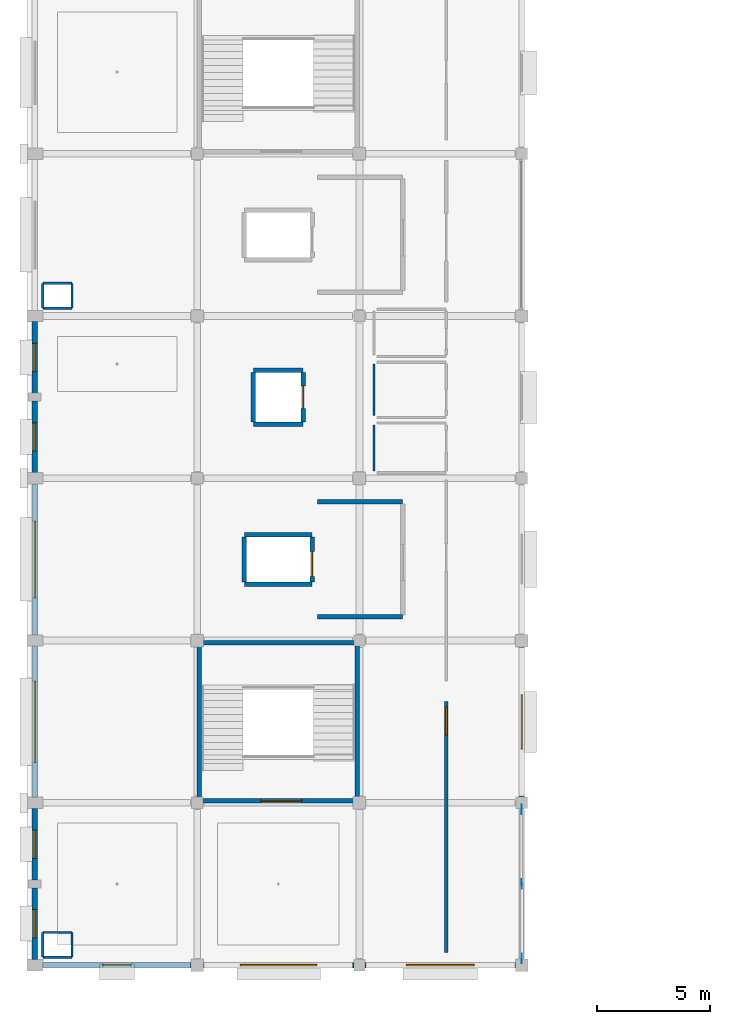
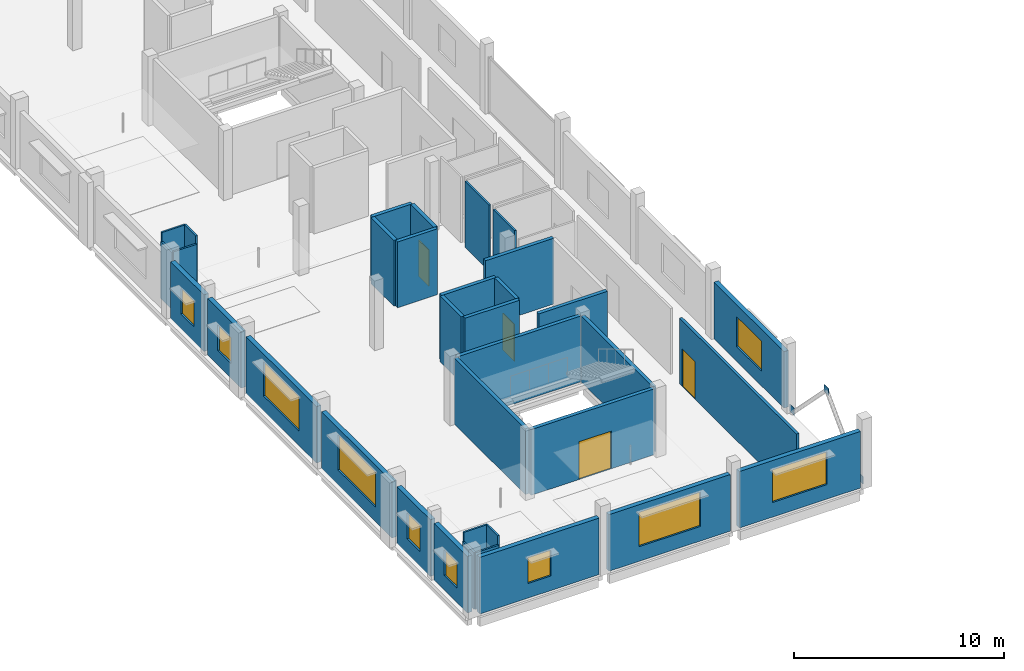
# One storey, part 7 of 15: 35 walls, 10 windows, 4 doors, 3 plates, 14 openings.
"""IFC4 building model written with IfcOpenShell, lengths in metres."""

from ifc_helpers import new_model, si_unit, direction, frame, frame_2d, origin, origin_2d, place, context, subcontext, project, spatial, rectangle, extrude, material, layer, layer_set, type_object, element, fill, save


model = new_model("IFC4")

# Units and contexts
model_context = context("Model", 3, precision=1e-05, world=origin(), true_north=direction((0.0, 1.0)))
body_context = subcontext(model_context, "Body", "Model", "MODEL_VIEW")
ifc_project = project(units=[si_unit("LENGTHUNIT", "METRE"), si_unit("AREAUNIT", "SQUARE_METRE"), si_unit("VOLUMEUNIT", "CUBIC_METRE"), si_unit("PLANEANGLEUNIT", "RADIAN"), si_unit("MASSUNIT", "GRAM", prefix="KILO")], contexts=[model_context])

# Site, building, storey
site_placement = place(None, origin())
site = spatial("IfcSite", under=ifc_project, at=site_placement, CompositionType="ELEMENT")
building_placement = place(site_placement, origin())
building = spatial("IfcBuilding", under=site, at=building_placement, Name="Kangsadwip Square Police Headquarters", CompositionType="ELEMENT")
storey_placement = place(building_placement, frame((0.0, 0.0, 29.699951171875)))
storey = spatial("IfcBuildingStorey", under=building, at=storey_placement, Name="L07", CompositionType="ELEMENT", Elevation=29.699951171875)

# Plates
ifc_material_1 = material(Name="Structural steel IS 2062 E350 (Grade 350, 350 MPa)", Category="steel")
ifc_layer_1 = layer(ifc_material_1, 0.01611328125)
ifc_layer_set_1 = layer_set([ifc_layer_1], Name="Structural steel IS 2062 E350 (Grade 350, 350 MPa)")
plate_type = type_object("IfcPlateType", Name="TrussGussetPlate16", PredefinedType="USERDEFINED", material=ifc_layer_set_1)
for number, where, z_axis, x_axis, name in (
    (1, (21.60009765625, 39.60009765625, 3.14013671875), (0.0, 0.0, 1.0), (0.0, 1.0, 0.0), "Truss Node Gusset Plate GP-L07-0148"),
    (2, (21.60009765625, 36.300048828125, 0.0), (0.0, 0.0, 1.0), (0.0, 1.0, 0.0), "Truss Node Gusset Plate GP-L07-0149"),
    (3, (21.60009765625, 42.89990234375, 0.0), (0.0, 0.0, 1.0), (0.0, 1.0, 0.0), "Truss Node Gusset Plate GP-L07-0150"),
):
    element("IfcPlate", number, at=place(storey_placement, frame(where, z_axis=z_axis, x_axis=x_axis)), inside=storey, type_object=plate_type, Name=name, ObjectType="GUSSET_PLATE", PredefinedType="USERDEFINED", context=body_context, shape_type="SweptSolid", body=[
        extrude(rectangle(XDim=0.419921875, YDim=0.01611328125, at=origin_2d()), origin(), (0.0, 0.0, 1.0), 0.419921875),
    ])

# Wall, opening, door
ifc_material_2 = material(Name="Autoclaved aerated concrete blockwork masonry", Category="masonry")
ifc_layer_2 = layer(ifc_material_2, 0.14990234375)
ifc_layer_set_2 = layer_set([ifc_layer_2], Name="Autoclaved aerated concrete blockwork masonry")
wall_type_1 = type_object("IfcWallType", Name="BlockPartition150", PredefinedType="PARTITIONING", material=ifc_layer_set_2)
wall_1_placement = place(storey_placement, frame((18.25, 36.550048828125, 0.0), z_axis=(0.0, 0.0, 1.0), x_axis=(0.0, 1.0, 0.0)))
wall_1 = element("IfcWall", 4, at=wall_1_placement, inside=storey, type_object=wall_type_1, Name="Interior Wall WI-L07-0950", PredefinedType="PARTITIONING", context=body_context, shape_type="SweptSolid", body=[
    extrude(rectangle(XDim=11.14990234375, YDim=0.14990234375, at=frame_2d((5.574951171875, 0.0))), origin(), (0.0, 0.0, 1.0), 3.830078125),
])
opening_1_placement = place(wall_1_placement, frame((9.64990234375, 0.0, 0.0)))
opening_1 = element("IfcOpeningElement", 5, at=opening_1_placement, cuts=wall_1, Name="Opening ID-12A", PredefinedType="OPENING", context=body_context, shape_type="SweptSolid", body=[
    extrude(rectangle(XDim=1.25, YDim=2.199951171875, at=frame_2d((0.625, 1.10009765625))), frame((0.0, 0.0849609375, 0.0), z_axis=(0.0, -1.0, 0.0), x_axis=(1.0, 0.0, 0.0)), (0.0, 0.0, 1.0), 0.169921875),
])
ifc_material_3 = material(Name="Solid-core seasoned teak hardwood architectural door", Category="wood")
door_type_1 = type_object("IfcDoorType", Name="ClassroomDoor1250x2200", OperationType="NOTDEFINED", PredefinedType="DOOR", material=ifc_material_3)
door_1_placement = place(opening_1_placement, origin())
door_1 = element("IfcDoor", 6, at=door_1_placement, inside=storey, type_object=door_type_1, Name="Interior Door ID-L07-0269", OperationType="SINGLE_SWING_LEFT", OverallHeight=2.199951171875, OverallWidth=1.25, PredefinedType="DOOR", context=body_context, shape_type="SweptSolid", body=[
    extrude(rectangle(XDim=1.25, YDim=2.199951171875, at=frame_2d((0.625, 1.10009765625))), frame((0.0, 0.02490234375, 0.0), z_axis=(0.0, -1.0, 0.0), x_axis=(1.0, 0.0, 0.0)), (0.0, 0.0, 1.0), 0.050048828125),
])
fill(opening_1, door_1)

# Wall, opening, window
ifc_material_4 = material(Name="Glazed architectural terracotta masonry rainscreen", Category="masonry")
ifc_layer_3 = layer(ifc_material_4, 0.25)
ifc_layer_set_3 = layer_set([ifc_layer_3], Name="Glazed architectural terracotta masonry rainscreen")
wall_type_2 = type_object("IfcWallType", Name="ChicagoTerracottaWall250", PredefinedType="SOLIDWALL", material=ifc_layer_set_3)
wall_2_placement = place(storey_placement, frame((0.344970703125, 36.0, 0.0), z_axis=(0.0, 0.0, 1.0), x_axis=(1.0, 0.0, 0.0)))
wall_2 = element("IfcWall", 7, at=wall_2_placement, inside=storey, type_object=wall_type_2, Name="Exterior Wall WE-L07-581", PredefinedType="SOLIDWALL", context=body_context, shape_type="SweptSolid", body=[
    extrude(rectangle(XDim=6.5849609375, YDim=0.25, at=frame_2d((3.29248046875, 0.0))), origin(), (0.0, 0.0, 1.0), 3.295166015625),
])
opening_2_placement = place(wall_2_placement, frame((2.66748046875, 0.0, 0.85009765625)))
opening_2 = element("IfcOpeningElement", 8, at=opening_2_placement, cuts=wall_2, Name="Opening WN-14", PredefinedType="OPENING", context=body_context, shape_type="SweptSolid", body=[
    extrude(rectangle(XDim=1.25, YDim=1.5, at=frame_2d((0.625, 0.75))), frame((0.0, 0.135009765625, 0.0), z_axis=(0.0, -1.0, 0.0), x_axis=(1.0, 0.0, 0.0)), (0.0, 0.0, 1.0), 0.27001953125),
])
ifc_material_5 = material(Name="Double-glazed solar-control low-E safety glass", Category="glass")
window_type_1 = type_object("IfcWindowType", Name="OfficeCasementWin1250x1500", PartitioningType="SINGLE_PANEL", PredefinedType="WINDOW", material=ifc_material_5)
window_1_placement = place(opening_2_placement, origin())
window_1 = element("IfcWindow", 9, at=window_1_placement, inside=storey, type_object=window_type_1, Name="Window WN-L07-0430", OverallHeight=1.5, OverallWidth=1.25, PartitioningType="SINGLE_PANEL", PredefinedType="WINDOW", context=body_context, shape_type="SweptSolid", body=[
    extrude(rectangle(XDim=1.25, YDim=1.5, at=frame_2d((0.625, 0.75))), frame((0.0, 0.030029296875, 0.0), z_axis=(0.0, -1.0, 0.0), x_axis=(1.0, 0.0, 0.0)), (0.0, 0.0, 1.0), 0.06005859375),
])
fill(opening_2, window_1)

wall_3_placement = place(storey_placement, frame((7.469970703125, 36.0, 0.0), z_axis=(0.0, 0.0, 1.0), x_axis=(1.0, 0.0, 0.0)))
wall_3 = element("IfcWall", 10, at=wall_3_placement, inside=storey, type_object=wall_type_2, Name="Exterior Wall WE-L07-582", PredefinedType="SOLIDWALL", context=body_context, shape_type="SweptSolid", body=[
    extrude(rectangle(XDim=6.68505859375, YDim=0.25, at=frame_2d((3.342529296875, 0.0))), origin(), (0.0, 0.0, 1.0), 3.295166015625),
])
opening_3_placement = place(wall_3_placement, frame((1.642578125, 0.0, 0.85009765625)))
opening_3 = element("IfcOpeningElement", 11, at=opening_3_placement, cuts=wall_3, Name="Opening WN-02", PredefinedType="OPENING", context=body_context, shape_type="SweptSolid", body=[
    extrude(rectangle(XDim=3.39990234375, YDim=2.0, at=frame_2d((1.699951171875, 1.0))), frame((0.0, 0.135009765625, 0.0), z_axis=(0.0, -1.0, 0.0), x_axis=(1.0, 0.0, 0.0)), (0.0, 0.0, 1.0), 0.27001953125),
])
ifc_material_6 = material(Name="Double-glazed solar-control low-E safety glass", Category="glass")
window_type_2 = type_object("IfcWindowType", Name="ChicagoTripartiteWin3400x2000", PartitioningType="TRIPLE_PANEL_HORIZONTAL", PredefinedType="WINDOW", material=ifc_material_6)
window_2_placement = place(opening_3_placement, origin())
window_2 = element("IfcWindow", 12, at=window_2_placement, inside=storey, type_object=window_type_2, Name="Window WN-L07-0431", OverallHeight=2.0, OverallWidth=3.39990234375, PartitioningType="SINGLE_PANEL", PredefinedType="WINDOW", context=body_context, shape_type="SweptSolid", body=[
    extrude(rectangle(XDim=3.39990234375, YDim=2.0, at=frame_2d((1.699951171875, 1.0))), frame((0.0, 0.030029296875, 0.0), z_axis=(0.0, -1.0, 0.0), x_axis=(1.0, 0.0, 0.0)), (0.0, 0.0, 1.0), 0.06005859375),
])
fill(opening_3, window_2)

wall_4_placement = place(storey_placement, frame((14.64501953125, 36.0, 0.0), z_axis=(0.0, 0.0, 1.0), x_axis=(1.0, 0.0, 0.0)))
wall_4 = element("IfcWall", 13, at=wall_4_placement, inside=storey, type_object=wall_type_2, Name="Exterior Wall WE-L07-583", PredefinedType="SOLIDWALL", context=body_context, shape_type="SweptSolid", body=[
    extrude(rectangle(XDim=6.68505859375, YDim=0.25, at=frame_2d((3.342529296875, 0.0))), origin(), (0.0, 0.0, 1.0), 3.295166015625),
])
opening_4_placement = place(wall_4_placement, frame((1.842529296875, 0.0, 0.85009765625)))
opening_4 = element("IfcOpeningElement", 14, at=opening_4_placement, cuts=wall_4, Name="Opening WN-04", PredefinedType="OPENING", context=body_context, shape_type="SweptSolid", body=[
    extrude(rectangle(XDim=3.0, YDim=1.89990234375, at=frame_2d((1.5, 0.949951171875))), frame((0.0, 0.135009765625, 0.0), z_axis=(0.0, -1.0, 0.0), x_axis=(1.0, 0.0, 0.0)), (0.0, 0.0, 1.0), 0.27001953125),
])
ifc_material_7 = material(Name="Double-glazed solar-control low-E safety glass", Category="glass")
window_type_3 = type_object("IfcWindowType", Name="ChicagoTripartiteWin3000x1900", PartitioningType="TRIPLE_PANEL_HORIZONTAL", PredefinedType="WINDOW", material=ifc_material_7)
window_3_placement = place(opening_4_placement, origin())
window_3 = element("IfcWindow", 15, at=window_3_placement, inside=storey, type_object=window_type_3, Name="Window WN-L07-0432", OverallHeight=1.89990234375, OverallWidth=3.0, PartitioningType="SINGLE_PANEL", PredefinedType="WINDOW", context=body_context, shape_type="SweptSolid", body=[
    extrude(rectangle(XDim=3.0, YDim=1.89990234375, at=frame_2d((1.5, 0.949951171875))), frame((0.0, 0.030029296875, 0.0), z_axis=(0.0, -1.0, 0.0), x_axis=(1.0, 0.0, 0.0)), (0.0, 0.0, 1.0), 0.06005859375),
])
fill(opening_4, window_3)

wall_5_placement = place(storey_placement, frame((0.0, 36.2451171875, 0.0), z_axis=(0.0, 0.0, 1.0), x_axis=(0.0, 1.0, 0.0)))
wall_5 = element("IfcWall", 16, at=wall_5_placement, inside=storey, type_object=wall_type_2, Name="Exterior Wall WE-L07-587", PredefinedType="SOLIDWALL", context=body_context, shape_type="SweptSolid", body=[
    extrude(rectangle(XDim=3.184814453125, YDim=0.25, at=frame_2d((1.59228515625, 0.0))), origin(), (0.0, 0.0, 1.0), 3.295166015625),
])
opening_5_placement = place(wall_5_placement, frame((0.967529296875, 0.0, 0.85009765625)))
opening_5 = element("IfcOpeningElement", 17, at=opening_5_placement, cuts=wall_5, Name="Opening WN-14", PredefinedType="OPENING", context=body_context, shape_type="SweptSolid", body=[
    extrude(rectangle(XDim=1.25, YDim=1.5, at=frame_2d((0.625, 0.75))), frame((0.0, 0.135009765625, 0.0), z_axis=(0.0, -1.0, 0.0), x_axis=(1.0, 0.0, 0.0)), (0.0, 0.0, 1.0), 0.27001953125),
])
window_4_placement = place(opening_5_placement, origin())
window_4 = element("IfcWindow", 18, at=window_4_placement, inside=storey, type_object=window_type_1, Name="Window WN-L07-0436", OverallHeight=1.5, OverallWidth=1.25, PartitioningType="SINGLE_PANEL", PredefinedType="WINDOW", context=body_context, shape_type="SweptSolid", body=[
    extrude(rectangle(XDim=1.25, YDim=1.5, at=frame_2d((0.625, 0.75))), frame((0.0, 0.030029296875, 0.0), z_axis=(0.0, -1.0, 0.0), x_axis=(1.0, 0.0, 0.0)), (0.0, 0.0, 1.0), 0.06005859375),
])
fill(opening_5, window_4)

wall_6_placement = place(storey_placement, frame((0.0, 39.77001953125, 0.0), z_axis=(0.0, 0.0, 1.0), x_axis=(0.0, 1.0, 0.0)))
wall_6 = element("IfcWall", 19, at=wall_6_placement, inside=storey, type_object=wall_type_2, Name="Exterior Wall WE-L07-588", PredefinedType="SOLIDWALL", context=body_context, shape_type="SweptSolid", body=[
    extrude(rectangle(XDim=3.18505859375, YDim=0.25, at=frame_2d((1.592529296875, 0.0))), origin(), (0.0, 0.0, 1.0), 3.295166015625),
])
opening_6_placement = place(wall_6_placement, frame((0.967529296875, 0.0, 0.85009765625)))
opening_6 = element("IfcOpeningElement", 20, at=opening_6_placement, cuts=wall_6, Name="Opening WN-14", PredefinedType="OPENING", context=body_context, shape_type="SweptSolid", body=[
    extrude(rectangle(XDim=1.25, YDim=1.5, at=frame_2d((0.625, 0.75))), frame((0.0, 0.135009765625, 0.0), z_axis=(0.0, -1.0, 0.0), x_axis=(1.0, 0.0, 0.0)), (0.0, 0.0, 1.0), 0.27001953125),
])
window_5_placement = place(opening_6_placement, origin())
window_5 = element("IfcWindow", 21, at=window_5_placement, inside=storey, type_object=window_type_1, Name="Window WN-L07-0437", OverallHeight=1.5, OverallWidth=1.25, PartitioningType="SINGLE_PANEL", PredefinedType="WINDOW", context=body_context, shape_type="SweptSolid", body=[
    extrude(rectangle(XDim=1.25, YDim=1.5, at=frame_2d((0.625, 0.75))), frame((0.0, 0.030029296875, 0.0), z_axis=(0.0, -1.0, 0.0), x_axis=(1.0, 0.0, 0.0)), (0.0, 0.0, 1.0), 0.06005859375),
])
fill(opening_6, window_5)

wall_7_placement = place(storey_placement, frame((0.0, 43.445068359375, 0.0), z_axis=(0.0, 0.0, 1.0), x_axis=(0.0, 1.0, 0.0)))
wall_7 = element("IfcWall", 22, at=wall_7_placement, inside=storey, type_object=wall_type_2, Name="Exterior Wall WE-L07-589", PredefinedType="SOLIDWALL", context=body_context, shape_type="SweptSolid", body=[
    extrude(rectangle(XDim=6.7099609375, YDim=0.25, at=frame_2d((3.35498046875, 0.0))), origin(), (0.0, 0.0, 1.0), 3.295166015625),
])
opening_7_placement = place(wall_7_placement, frame((1.554931640625, 0.0, 0.85009765625)))
opening_7 = element("IfcOpeningElement", 23, at=opening_7_placement, cuts=wall_7, Name="Opening WN-01", PredefinedType="OPENING", context=body_context, shape_type="SweptSolid", body=[
    extrude(rectangle(XDim=3.60009765625, YDim=2.050048828125, at=frame_2d((1.800048828125, 1.02490234375))), frame((0.0, 0.135009765625, 0.0), z_axis=(0.0, -1.0, 0.0), x_axis=(1.0, 0.0, 0.0)), (0.0, 0.0, 1.0), 0.27001953125),
])
ifc_material_8 = material(Name="Double-glazed solar-control low-E safety glass", Category="glass")
window_type_4 = type_object("IfcWindowType", Name="ChicagoTripartiteWin3600x2050", PartitioningType="TRIPLE_PANEL_HORIZONTAL", PredefinedType="WINDOW", material=ifc_material_8)
window_6_placement = place(opening_7_placement, origin())
window_6 = element("IfcWindow", 24, at=window_6_placement, inside=storey, type_object=window_type_4, Name="Window WN-L07-0438", OverallHeight=2.050048828125, OverallWidth=3.60009765625, PartitioningType="SINGLE_PANEL", PredefinedType="WINDOW", context=body_context, shape_type="SweptSolid", body=[
    extrude(rectangle(XDim=3.60009765625, YDim=2.050048828125, at=frame_2d((1.800048828125, 1.02490234375))), frame((0.0, 0.030029296875, 0.0), z_axis=(0.0, -1.0, 0.0), x_axis=(1.0, 0.0, 0.0)), (0.0, 0.0, 1.0), 0.06005859375),
])
fill(opening_7, window_6)

wall_8_placement = place(storey_placement, frame((0.0, 50.64501953125, 0.0), z_axis=(0.0, 0.0, 1.0), x_axis=(0.0, 1.0, 0.0)))
wall_8 = element("IfcWall", 25, at=wall_8_placement, inside=storey, type_object=wall_type_2, Name="Exterior Wall WE-L07-590", PredefinedType="SOLIDWALL", context=body_context, shape_type="SweptSolid", body=[
    extrude(rectangle(XDim=6.7099609375, YDim=0.25, at=frame_2d((3.35498046875, 0.0))), origin(), (0.0, 0.0, 1.0), 3.295166015625),
])
opening_8_placement = place(wall_8_placement, frame((1.655029296875, 0.0, 0.85009765625)))
opening_8 = element("IfcOpeningElement", 26, at=opening_8_placement, cuts=wall_8, Name="Opening WN-02", PredefinedType="OPENING", context=body_context, shape_type="SweptSolid", body=[
    extrude(rectangle(XDim=3.39990234375, YDim=2.0, at=frame_2d((1.699951171875, 1.0))), frame((0.0, 0.135009765625, 0.0), z_axis=(0.0, -1.0, 0.0), x_axis=(1.0, 0.0, 0.0)), (0.0, 0.0, 1.0), 0.27001953125),
])
window_7_placement = place(opening_8_placement, origin())
window_7 = element("IfcWindow", 27, at=window_7_placement, inside=storey, type_object=window_type_2, Name="Window WN-L07-0439", OverallHeight=2.0, OverallWidth=3.39990234375, PartitioningType="SINGLE_PANEL", PredefinedType="WINDOW", context=body_context, shape_type="SweptSolid", body=[
    extrude(rectangle(XDim=3.39990234375, YDim=2.0, at=frame_2d((1.699951171875, 1.0))), frame((0.0, 0.030029296875, 0.0), z_axis=(0.0, -1.0, 0.0), x_axis=(1.0, 0.0, 0.0)), (0.0, 0.0, 1.0), 0.06005859375),
])
fill(opening_8, window_7)

wall_9_placement = place(storey_placement, frame((0.0, 57.844970703125, 0.0), z_axis=(0.0, 0.0, 1.0), x_axis=(0.0, 1.0, 0.0)))
wall_9 = element("IfcWall", 28, at=wall_9_placement, inside=storey, type_object=wall_type_2, Name="Exterior Wall WE-L07-591", PredefinedType="SOLIDWALL", context=body_context, shape_type="SweptSolid", body=[
    extrude(rectangle(XDim=3.18505859375, YDim=0.25, at=frame_2d((1.592529296875, 0.0))), origin(), (0.0, 0.0, 1.0), 3.295166015625),
])
opening_9_placement = place(wall_9_placement, frame((0.967529296875, 0.0, 0.85009765625)))
opening_9 = element("IfcOpeningElement", 29, at=opening_9_placement, cuts=wall_9, Name="Opening WN-14", PredefinedType="OPENING", context=body_context, shape_type="SweptSolid", body=[
    extrude(rectangle(XDim=1.25, YDim=1.5, at=frame_2d((0.625, 0.75))), frame((0.0, 0.135009765625, 0.0), z_axis=(0.0, -1.0, 0.0), x_axis=(1.0, 0.0, 0.0)), (0.0, 0.0, 1.0), 0.27001953125),
])
window_8_placement = place(opening_9_placement, origin())
window_8 = element("IfcWindow", 30, at=window_8_placement, inside=storey, type_object=window_type_1, Name="Window WN-L07-0440", OverallHeight=1.5, OverallWidth=1.25, PartitioningType="SINGLE_PANEL", PredefinedType="WINDOW", context=body_context, shape_type="SweptSolid", body=[
    extrude(rectangle(XDim=1.25, YDim=1.5, at=frame_2d((0.625, 0.75))), frame((0.0, 0.030029296875, 0.0), z_axis=(0.0, -1.0, 0.0), x_axis=(1.0, 0.0, 0.0)), (0.0, 0.0, 1.0), 0.06005859375),
])
fill(opening_9, window_8)

wall_10_placement = place(storey_placement, frame((0.0, 61.3701171875, 0.0), z_axis=(0.0, 0.0, 1.0), x_axis=(0.0, 1.0, 0.0)))
wall_10 = element("IfcWall", 31, at=wall_10_placement, inside=storey, type_object=wall_type_2, Name="Exterior Wall WE-L07-592", PredefinedType="SOLIDWALL", context=body_context, shape_type="SweptSolid", body=[
    extrude(rectangle(XDim=3.184814453125, YDim=0.25, at=frame_2d((1.59228515625, 0.0))), origin(), (0.0, 0.0, 1.0), 3.295166015625),
])
opening_10_placement = place(wall_10_placement, frame((0.967529296875, 0.0, 0.85009765625)))
opening_10 = element("IfcOpeningElement", 32, at=opening_10_placement, cuts=wall_10, Name="Opening WN-14", PredefinedType="OPENING", context=body_context, shape_type="SweptSolid", body=[
    extrude(rectangle(XDim=1.25, YDim=1.5, at=frame_2d((0.625, 0.75))), frame((0.0, 0.135009765625, 0.0), z_axis=(0.0, -1.0, 0.0), x_axis=(1.0, 0.0, 0.0)), (0.0, 0.0, 1.0), 0.27001953125),
])
window_9_placement = place(opening_10_placement, origin())
window_9 = element("IfcWindow", 33, at=window_9_placement, inside=storey, type_object=window_type_1, Name="Window WN-L07-0441", OverallHeight=1.5, OverallWidth=1.25, PartitioningType="SINGLE_PANEL", PredefinedType="WINDOW", context=body_context, shape_type="SweptSolid", body=[
    extrude(rectangle(XDim=1.25, YDim=1.5, at=frame_2d((0.625, 0.75))), frame((0.0, 0.030029296875, 0.0), z_axis=(0.0, -1.0, 0.0), x_axis=(1.0, 0.0, 0.0)), (0.0, 0.0, 1.0), 0.06005859375),
])
fill(opening_10, window_9)

wall_11_placement = place(storey_placement, frame((21.60009765625, 43.445068359375, 0.0), z_axis=(0.0, 0.0, 1.0), x_axis=(0.0, 1.0, 0.0)))
wall_11 = element("IfcWall", 34, at=wall_11_placement, inside=storey, type_object=wall_type_2, Name="Exterior Wall WE-L07-598", PredefinedType="SOLIDWALL", context=body_context, shape_type="SweptSolid", body=[
    extrude(rectangle(XDim=6.684814453125, YDim=0.25, at=frame_2d((3.34228515625, 0.0))), origin(), (0.0, 0.0, 1.0), 3.295166015625),
])
opening_11_placement = place(wall_11_placement, frame((2.142578125, 0.0, 0.85009765625)))
opening_11 = element("IfcOpeningElement", 35, at=opening_11_placement, cuts=wall_11, Name="Opening WN-07", PredefinedType="OPENING", context=body_context, shape_type="SweptSolid", body=[
    extrude(rectangle(XDim=2.39990234375, YDim=1.75, at=frame_2d((1.199951171875, 0.875))), frame((0.0, 0.135009765625, 0.0), z_axis=(0.0, -1.0, 0.0), x_axis=(1.0, 0.0, 0.0)), (0.0, 0.0, 1.0), 0.27001953125),
])
ifc_material_9 = material(Name="Double-glazed solar-control low-E safety glass", Category="glass")
window_type_5 = type_object("IfcWindowType", Name="ChicagoDoubleMullWin2400x1750", PartitioningType="DOUBLE_PANEL_VERTICAL", PredefinedType="WINDOW", material=ifc_material_9)
window_10_placement = place(opening_11_placement, origin())
window_10 = element("IfcWindow", 36, at=window_10_placement, inside=storey, type_object=window_type_5, Name="Window WN-L07-0447", OverallHeight=1.75, OverallWidth=2.39990234375, PartitioningType="SINGLE_PANEL", PredefinedType="WINDOW", context=body_context, shape_type="SweptSolid", body=[
    extrude(rectangle(XDim=2.39990234375, YDim=1.75, at=frame_2d((1.199951171875, 0.875))), frame((0.0, 0.030029296875, 0.0), z_axis=(0.0, -1.0, 0.0), x_axis=(1.0, 0.0, 0.0)), (0.0, 0.0, 1.0), 0.06005859375),
])
fill(opening_11, window_10)

# Wall, opening, door
ifc_material_10 = material(Name="Concrete M40 (40 MPa)", Category="concrete")
ifc_layer_4 = layer(ifc_material_10, 0.199951171875)
ifc_layer_set_4 = layer_set([ifc_layer_4], Name="Concrete M40 (40 MPa)")
wall_type_3 = type_object("IfcWallType", Name="CoreShearWall200", PredefinedType="SHEAR", material=ifc_layer_set_4)
wall_12_placement = place(storey_placement, frame((7.39990234375, 43.300048828125, 0.0), z_axis=(0.0, 0.0, 1.0), x_axis=(1.0, 0.0, 0.0)))
wall_12 = element("IfcWall", 37, at=wall_12_placement, inside=storey, type_object=wall_type_3, Name="Interior Wall WI-L07-0041", PredefinedType="SHEAR", context=body_context, shape_type="SweptSolid", body=[
    extrude(rectangle(XDim=6.800048828125, YDim=0.199951171875, at=frame_2d((3.39990234375, 0.0))), origin(), (0.0, 0.0, 1.0), 3.830078125),
])
opening_12_placement = place(wall_12_placement, frame((2.632080078125, 0.0, 0.0)))
opening_12 = element("IfcOpeningElement", 38, at=opening_12_placement, cuts=wall_12, Name="Opening FD-18", PredefinedType="OPENING", context=body_context, shape_type="SweptSolid", body=[
    extrude(rectangle(XDim=1.800048828125, YDim=2.199951171875, at=frame_2d((0.89990234375, 1.10009765625))), frame((0.0, 0.10986328125, 0.0), z_axis=(0.0, -1.0, 0.0), x_axis=(1.0, 0.0, 0.0)), (0.0, 0.0, 1.0), 0.219970703125),
])
ifc_material_11 = material(Name="Insulated galvanized steel fire-rated door assembly", Category="steel")
door_type_2 = type_object("IfcDoorType", Name="StairFireDoor1800x2200", OperationType="DOUBLE_DOOR_SINGLE_SWING", PredefinedType="DOOR", material=ifc_material_11)
door_2_placement = place(opening_12_placement, origin())
door_2 = element("IfcDoor", 39, at=door_2_placement, inside=storey, type_object=door_type_2, Name="Interior Door ID-L07-0009", OperationType="DOUBLE_DOOR_SINGLE_SWING", OverallHeight=2.199951171875, OverallWidth=1.800048828125, PredefinedType="DOOR", context=body_context, shape_type="SweptSolid", body=[
    extrude(rectangle(XDim=1.800048828125, YDim=2.199951171875, at=frame_2d((0.89990234375, 1.10009765625))), frame((0.0, 0.02490234375, 0.0), z_axis=(0.0, -1.0, 0.0), x_axis=(1.0, 0.0, 0.0)), (0.0, 0.0, 1.0), 0.050048828125),
])
fill(opening_12, door_2)

# Walls
for number, where, z_axis, x_axis, name in (
    (40, (7.39990234375, 50.300048828125, 0.0), (0.0, 0.0, 1.0), (1.0, 0.0, 0.0), "Interior Wall WI-L07-0042"),
    (41, (7.300048828125, 43.39990234375, 0.0), (0.0, 0.0, 1.0), (0.0, 1.0, 0.0), "Interior Wall WI-L07-0043"),
    (42, (14.300048828125, 43.39990234375, 0.0), (0.0, 0.0, 1.0), (0.0, 1.0, 0.0), "Interior Wall WI-L07-0044"),
):
    element("IfcWall", number, at=place(storey_placement, frame(where, z_axis=z_axis, x_axis=x_axis)), inside=storey, type_object=wall_type_3, Name=name, PredefinedType="SHEAR", context=body_context, shape_type="SweptSolid", body=[
        extrude(rectangle(XDim=6.800048828125, YDim=0.199951171875, at=frame_2d((3.39990234375, 0.0))), origin(), (0.0, 0.0, 1.0), 3.830078125),
    ])
for number, where, z_axis, x_axis, name in (
    (43, (9.300048828125, 52.89990234375, 0.0), (0.0, 0.0, 1.0), (1.0, 0.0, 0.0), "Interior Wall WI-L07-0263"),
    (44, (9.300048828125, 55.10009765625, 0.0), (0.0, 0.0, 1.0), (1.0, 0.0, 0.0), "Interior Wall WI-L07-0264"),
):
    element("IfcWall", number, at=place(storey_placement, frame(where, z_axis=z_axis, x_axis=x_axis)), inside=storey, type_object=wall_type_3, Name=name, PredefinedType="SHEAR", context=body_context, shape_type="SweptSolid", body=[
        extrude(rectangle(XDim=3.0, YDim=0.199951171875, at=frame_2d((1.5, 0.0))), origin(), (0.0, 0.0, 1.0), 3.830078125),
    ])
wall_13_placement = place(storey_placement, frame((9.300048828125, 53.0, 0.0), z_axis=(0.0, 0.0, 1.0), x_axis=(0.0, 1.0, 0.0)))
element("IfcWall", 45, at=wall_13_placement, inside=storey, type_object=wall_type_3, Name="Interior Wall WI-L07-0265", PredefinedType="SHEAR", context=body_context, shape_type="SweptSolid", body=[
    extrude(rectangle(XDim=2.0, YDim=0.199951171875, at=frame_2d((1.0, 0.0))), origin(), (0.0, 0.0, 1.0), 3.830078125),
])

# Wall, opening, door
wall_14_placement = place(storey_placement, frame((12.300048828125, 53.0, 0.0), z_axis=(0.0, 0.0, 1.0), x_axis=(0.0, 1.0, 0.0)))
wall_14 = element("IfcWall", 46, at=wall_14_placement, inside=storey, type_object=wall_type_3, Name="Interior Wall WI-L07-0266", PredefinedType="SHEAR", context=body_context, shape_type="SweptSolid", body=[
    extrude(rectangle(XDim=2.0, YDim=0.199951171875, at=frame_2d((1.0, 0.0))), origin(), (0.0, 0.0, 1.0), 3.830078125),
])
opening_13_placement = place(wall_14_placement, frame((0.25, 0.0, 0.0)))
opening_13 = element("IfcOpeningElement", 47, at=opening_13_placement, cuts=wall_14, Name="Opening LD-009", PredefinedType="OPENING", context=body_context, shape_type="SweptSolid", body=[
    extrude(rectangle(XDim=1.10009765625, YDim=2.14990234375, at=frame_2d((0.550048828125, 1.074951171875))), frame((0.0, 0.10986328125, 0.0), z_axis=(0.0, -1.0, 0.0), x_axis=(1.0, 0.0, 0.0)), (0.0, 0.0, 1.0), 0.219970703125),
])
ifc_material_12 = material(Name="Brushed stainless steel automatic sliding lift landing door", Category="steel")
door_type_3 = type_object("IfcDoorType", Name="LiftLandingDoor1100x2150", OperationType="DOUBLE_DOOR_SLIDING", PredefinedType="DOOR", material=ifc_material_12)
door_3_placement = place(opening_13_placement, origin())
door_3 = element("IfcDoor", 48, at=door_3_placement, inside=storey, type_object=door_type_3, Name="Interior Door LD-009", OperationType="DOUBLE_DOOR_SLIDING", OverallHeight=2.14990234375, OverallWidth=1.10009765625, PredefinedType="DOOR", context=body_context, shape_type="SweptSolid", body=[
    extrude(rectangle(XDim=1.10009765625, YDim=2.14990234375, at=frame_2d((0.550048828125, 1.074951171875))), frame((0.0, 0.02490234375, 0.0), z_axis=(0.0, -1.0, 0.0), x_axis=(1.0, 0.0, 0.0)), (0.0, 0.0, 1.0), 0.050048828125),
])
fill(opening_13, door_3)

# Walls
for number, where, z_axis, x_axis, name in (
    (49, (9.699951171875, 60.0, 0.0), (0.0, 0.0, 1.0), (1.0, 0.0, 0.0), "Interior Wall WI-L07-0379"),
    (50, (9.699951171875, 62.39990234375, 0.0), (0.0, 0.0, 1.0), (1.0, 0.0, 0.0), "Interior Wall WI-L07-0380"),
    (51, (9.699951171875, 60.10009765625, 0.0), (0.0, 0.0, 1.0), (0.0, 1.0, 0.0), "Interior Wall WI-L07-0381"),
):
    element("IfcWall", number, at=place(storey_placement, frame(where, z_axis=z_axis, x_axis=x_axis)), inside=storey, type_object=wall_type_3, Name=name, PredefinedType="SHEAR", context=body_context, shape_type="SweptSolid", body=[
        extrude(rectangle(XDim=2.199951171875, YDim=0.199951171875, at=frame_2d((1.10009765625, 0.0))), origin(), (0.0, 0.0, 1.0), 3.830078125),
    ])

# Wall, opening, door
wall_15_placement = place(storey_placement, frame((11.89990234375, 60.10009765625, 0.0), z_axis=(0.0, 0.0, 1.0), x_axis=(0.0, 1.0, 0.0)))
wall_15 = element("IfcWall", 52, at=wall_15_placement, inside=storey, type_object=wall_type_3, Name="Interior Wall WI-L07-0382", PredefinedType="SHEAR", context=body_context, shape_type="SweptSolid", body=[
    extrude(rectangle(XDim=2.199951171875, YDim=0.199951171875, at=frame_2d((1.10009765625, 0.0))), origin(), (0.0, 0.0, 1.0), 3.830078125),
])
opening_14_placement = place(wall_15_placement, frame((0.60009765625, 0.0, 0.0)))
opening_14 = element("IfcOpeningElement", 53, at=opening_14_placement, cuts=wall_15, Name="Opening LD-035", PredefinedType="OPENING", context=body_context, shape_type="SweptSolid", body=[
    extrude(rectangle(XDim=1.0, YDim=2.10009765625, at=frame_2d((0.5, 1.050048828125))), frame((0.0, 0.10986328125, 0.0), z_axis=(0.0, -1.0, 0.0), x_axis=(1.0, 0.0, 0.0)), (0.0, 0.0, 1.0), 0.219970703125),
])
ifc_material_13 = material(Name="Brushed stainless steel automatic sliding lift landing door", Category="steel")
door_type_4 = type_object("IfcDoorType", Name="LiftLandingDoor1000x2100", OperationType="DOUBLE_DOOR_SLIDING", PredefinedType="DOOR", material=ifc_material_13)
door_4_placement = place(opening_14_placement, origin())
door_4 = element("IfcDoor", 54, at=door_4_placement, inside=storey, type_object=door_type_4, Name="Interior Door LD-035", OperationType="DOUBLE_DOOR_SLIDING", OverallHeight=2.10009765625, OverallWidth=1.0, PredefinedType="DOOR", context=body_context, shape_type="SweptSolid", body=[
    extrude(rectangle(XDim=1.0, YDim=2.10009765625, at=frame_2d((0.5, 1.050048828125))), frame((0.0, 0.02490234375, 0.0), z_axis=(0.0, -1.0, 0.0), x_axis=(1.0, 0.0, 0.0)), (0.0, 0.0, 1.0), 0.050048828125),
])
fill(opening_14, door_4)

# Walls
ifc_material_14 = material(Name="Concrete M40 (40 MPa)", Category="concrete")
ifc_layer_5 = layer(ifc_material_14, 0.199951171875)
ifc_layer_set_5 = layer_set([ifc_layer_5], Name="Concrete M40 (40 MPa)")
wall_type_4 = type_object("IfcWallType", Name="CustodySecurityWall200", PredefinedType="SOLIDWALL", material=ifc_layer_set_5)
for number, where, z_axis, x_axis, name in (
    (55, (12.5400390625, 51.449951171875, 0.0), (0.0, 0.0, 1.0), (1.0, 0.0, 0.0), "Interior Wall WI-L07-0933"),
    (56, (12.5400390625, 56.550048828125, 0.0), (0.0, 0.0, 1.0), (1.0, 0.0, 0.0), "Interior Wall WI-L07-0934"),
):
    element("IfcWall", number, at=place(storey_placement, frame(where, z_axis=z_axis, x_axis=x_axis)), inside=storey, type_object=wall_type_4, Name=name, PredefinedType="SOLIDWALL", context=body_context, shape_type="SweptSolid", body=[
        extrude(rectangle(XDim=3.780029296875, YDim=0.199951171875, at=frame_2d((1.89013671875, 0.0))), origin(), (0.0, 0.0, 1.0), 3.830078125),
    ])
ifc_material_15 = material(Name="Autoclaved aerated concrete blockwork masonry", Category="masonry")
ifc_layer_6 = layer(ifc_material_15, 0.10009765625)
ifc_layer_set_6 = layer_set([ifc_layer_6], Name="Autoclaved aerated concrete blockwork masonry")
wall_type_5 = type_object("IfcWallType", Name="WetWallPartition100", PredefinedType="PARTITIONING", material=ifc_layer_set_6)
wall_16_placement = place(storey_placement, frame((0.35009765625, 36.35009765625, 0.0), z_axis=(0.0, 0.0, 1.0), x_axis=(1.0, 0.0, 0.0)))
element("IfcWall", 57, at=wall_16_placement, inside=storey, type_object=wall_type_5, Name="Interior Wall WI-L07-0543", PredefinedType="PARTITIONING", context=body_context, shape_type="SweptSolid", body=[
    extrude(rectangle(XDim=1.2998046875, YDim=0.10009765625, at=frame_2d((0.64990234375, 0.0))), origin(), (0.0, 0.0, 1.0), 3.300048828125),
])
wall_17_placement = place(storey_placement, frame((0.35009765625, 37.449951171875, 0.0), z_axis=(0.0, 0.0, 1.0), x_axis=(1.0, 0.0, 0.0)))
element("IfcWall", 58, at=wall_17_placement, inside=storey, type_object=wall_type_5, Name="Interior Wall WI-L07-0544", PredefinedType="PARTITIONING", context=body_context, shape_type="SweptSolid", body=[
    extrude(rectangle(XDim=1.2998046875, YDim=0.10009765625, at=frame_2d((0.64990234375, 0.0))), origin(), (0.0, 0.0, 1.0), 3.830078125),
])
wall_18_placement = place(storey_placement, frame((0.35009765625, 36.35009765625, 0.0), z_axis=(0.0, 0.0, 1.0), x_axis=(0.0, 1.0, 0.0)))
element("IfcWall", 59, at=wall_18_placement, inside=storey, type_object=wall_type_5, Name="Interior Wall WI-L07-0545", PredefinedType="PARTITIONING", context=body_context, shape_type="SweptSolid", body=[
    extrude(rectangle(XDim=1.099853515625, YDim=0.10009765625, at=frame_2d((0.5498046875, 0.0))), origin(), (0.0, 0.0, 1.0), 3.300048828125),
])
wall_19_placement = place(storey_placement, frame((1.64990234375, 36.35009765625, 0.0), z_axis=(0.0, 0.0, 1.0), x_axis=(0.0, 1.0, 0.0)))
element("IfcWall", 60, at=wall_19_placement, inside=storey, type_object=wall_type_5, Name="Interior Wall WI-L07-0546", PredefinedType="PARTITIONING", context=body_context, shape_type="SweptSolid", body=[
    extrude(rectangle(XDim=1.099853515625, YDim=0.10009765625, at=frame_2d((0.5498046875, 0.0))), origin(), (0.0, 0.0, 1.0), 3.830078125),
])
wall_20_placement = place(storey_placement, frame((0.35009765625, 65.14990234375, 0.0), z_axis=(0.0, 0.0, 1.0), x_axis=(1.0, 0.0, 0.0)))
element("IfcWall", 61, at=wall_20_placement, inside=storey, type_object=wall_type_5, Name="Interior Wall WI-L07-0575", PredefinedType="PARTITIONING", context=body_context, shape_type="SweptSolid", body=[
    extrude(rectangle(XDim=1.2998046875, YDim=0.10009765625, at=frame_2d((0.64990234375, 0.0))), origin(), (0.0, 0.0, 1.0), 3.3701171875),
])
wall_21_placement = place(storey_placement, frame((0.35009765625, 66.25, 0.0), z_axis=(0.0, 0.0, 1.0), x_axis=(1.0, 0.0, 0.0)))
element("IfcWall", 62, at=wall_21_placement, inside=storey, type_object=wall_type_5, Name="Interior Wall WI-L07-0576", PredefinedType="PARTITIONING", context=body_context, shape_type="SweptSolid", body=[
    extrude(rectangle(XDim=1.2998046875, YDim=0.10009765625, at=frame_2d((0.64990234375, 0.0))), origin(), (0.0, 0.0, 1.0), 3.830078125),
])
wall_22_placement = place(storey_placement, frame((0.35009765625, 65.14990234375, 0.0), z_axis=(0.0, 0.0, 1.0), x_axis=(0.0, 1.0, 0.0)))
element("IfcWall", 63, at=wall_22_placement, inside=storey, type_object=wall_type_5, Name="Interior Wall WI-L07-0577", PredefinedType="PARTITIONING", context=body_context, shape_type="SweptSolid", body=[
    extrude(rectangle(XDim=1.10009765625, YDim=0.10009765625, at=frame_2d((0.550048828125, 0.0))), origin(), (0.0, 0.0, 1.0), 3.300048828125),
])
wall_23_placement = place(storey_placement, frame((1.64990234375, 65.14990234375, 0.0), z_axis=(0.0, 0.0, 1.0), x_axis=(0.0, 1.0, 0.0)))
element("IfcWall", 64, at=wall_23_placement, inside=storey, type_object=wall_type_5, Name="Interior Wall WI-L07-0578", PredefinedType="PARTITIONING", context=body_context, shape_type="SweptSolid", body=[
    extrude(rectangle(XDim=1.10009765625, YDim=0.10009765625, at=frame_2d((0.550048828125, 0.0))), origin(), (0.0, 0.0, 1.0), 3.830078125),
])
wall_24_placement = place(storey_placement, frame((15.050048828125, 57.929931640625, 0.0), z_axis=(0.0, 0.0, 1.0), x_axis=(0.0, 1.0, 0.0)))
element("IfcWall", 65, at=wall_24_placement, inside=storey, type_object=wall_type_5, Name="Interior Wall WI-L07-0941", PredefinedType="PARTITIONING", context=body_context, shape_type="SweptSolid", body=[
    extrude(rectangle(XDim=2.0400390625, YDim=0.10009765625, at=frame_2d((1.02001953125, 0.0))), origin(), (0.0, 0.0, 1.0), 3.830078125),
])
wall_25_placement = place(storey_placement, frame((15.050048828125, 60.3798828125, 0.0), z_axis=(0.0, 0.0, 1.0), x_axis=(0.0, 1.0, 0.0)))
element("IfcWall", 66, at=wall_25_placement, inside=storey, type_object=wall_type_5, Name="Interior Wall WI-L07-0945", PredefinedType="PARTITIONING", context=body_context, shape_type="SweptSolid", body=[
    extrude(rectangle(XDim=2.2900390625, YDim=0.10009765625, at=frame_2d((1.14501953125, 0.0))), origin(), (0.0, 0.0, 1.0), 3.830078125),
])

save(model, "model.ifc")
